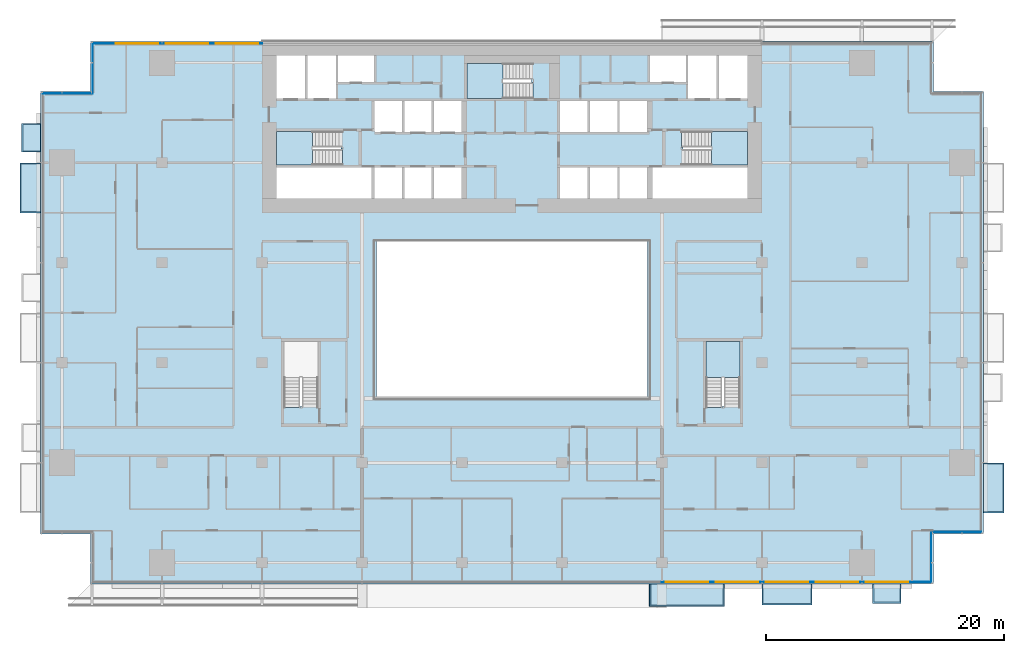
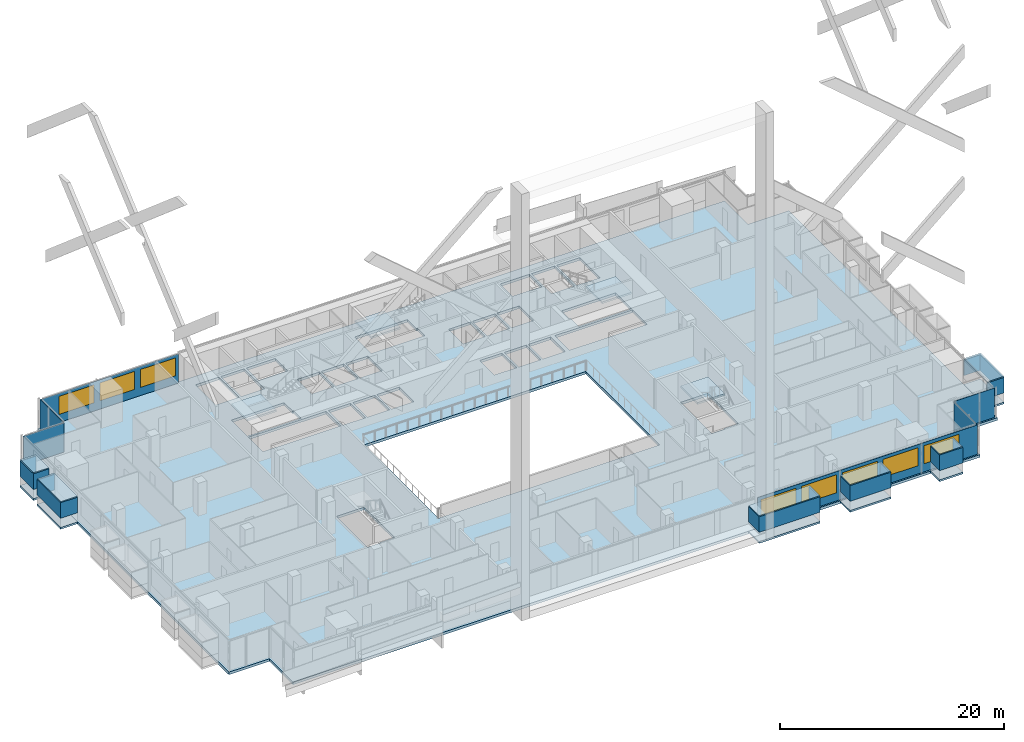
# One storey, part 15 of 30: 18 plates, 11 slabs, 8 windows, 8 openings, 10 elements without a shape of their own.
"""IFC4 building model written with IfcOpenShell, lengths in metres."""

from ifc_helpers import new_model, si_unit, direction, frame, frame_2d, origin, place, context, subcontext, project, spatial, polyline, rectangle, outline, extrude, material, layer, layer_set, type_object, element, fill, aggregate, save


model = new_model("IFC4")

# Units and contexts
model_context = context("Model", 3, precision=1e-05, world=origin(), true_north=direction((0.0, 1.0)))
body_context = subcontext(model_context, "Body", "Model", "MODEL_VIEW")
ifc_project = project(units=[si_unit("LENGTHUNIT", "METRE"), si_unit("AREAUNIT", "SQUARE_METRE"), si_unit("VOLUMEUNIT", "CUBIC_METRE"), si_unit("PLANEANGLEUNIT", "RADIAN"), si_unit("MASSUNIT", "GRAM", prefix="KILO")], contexts=[model_context])

# Site, building, storey
site_placement = place(None, origin())
site = spatial("IfcSite", under=ifc_project, at=site_placement, CompositionType="ELEMENT")
building_placement = place(site_placement, origin())
building = spatial("IfcBuilding", under=site, at=building_placement, Name="Saffron Gate Tower", CompositionType="ELEMENT")
storey_placement = place(building_placement, frame((0.0, 0.0, 37.199951171875)))
storey = spatial("IfcBuildingStorey", under=building, at=storey_placement, Name="L07", CompositionType="ELEMENT", Elevation=37.199951171875)

# Curtain wall, plate, openings, windows
ifc_material_1 = material(Name="Aluminium, bronze anodised", Category="aluminium")
curtain_wall_type_1 = type_object("IfcCurtainWallType", Name="CWS1 curtain wall front facade", PredefinedType="NOTDEFINED", material=ifc_material_1)
curtain_wall_1_placement = place(storey_placement, origin())
curtain_wall_1 = element("IfcCurtainWall", 1, at=curtain_wall_1_placement, inside=storey, type_object=curtain_wall_type_1, Name="CWS1 run 1", PredefinedType="NOTDEFINED")
ifc_material_2 = material(Name="Fritted bronze-tinted laminated glass", Category="glass")
ifc_layer_1 = layer(ifc_material_2, 0.028076171875)
ifc_layer_set_1 = layer_set([ifc_layer_1], Name="CWS1 fixed glass")
plate_type_1 = type_object("IfcPlateType", Name="CWS1 fixed glass", PredefinedType="CURTAIN_PANEL", material=ifc_layer_set_1)
plate_1_placement = place(storey_placement, frame((100.169921875, 30.174072265625, 0.0), z_axis=(0.0, 0.0, 1.0), x_axis=(1.0, 0.0, 0.0)))
plate_1 = element("IfcPlate", 2, at=plate_1_placement, type_object=plate_type_1, Name="CWS1 glass panel", PredefinedType="CURTAIN_PANEL", context=body_context, shape_type="SweptSolid", body=[
    extrude(rectangle(XDim=22.64208984375, YDim=0.028076171875, at=frame_2d((11.321044921875, 0.0))), origin(), (0.0, 0.0, 1.0), 3.199951171875),
])
opening_1_placement = place(plate_1_placement, frame((0.330078125, 0.0, 0.89990234375)))
opening_1 = element("IfcOpeningElement", 3, at=opening_1_placement, cuts=plate_1, Name="Opening W1", PredefinedType="OPENING", context=body_context, shape_type="SweptSolid", body=[
    extrude(rectangle(XDim=3.60009765625, YDim=1.949951171875, at=frame_2d((1.800048828125, 0.97509765625))), frame((0.0, 0.02392578125, 0.0), z_axis=(0.0, -1.0, 0.0), x_axis=(1.0, 0.0, 0.0)), (0.0, 0.0, 1.0), 0.048095703125),
])
opening_2_placement = place(plate_1_placement, frame((4.530029296875, 0.0, 0.89990234375)))
opening_2 = element("IfcOpeningElement", 4, at=opening_2_placement, cuts=plate_1, Name="Opening W1", PredefinedType="OPENING", context=body_context, shape_type="SweptSolid", body=[
    extrude(rectangle(XDim=3.60009765625, YDim=1.949951171875, at=frame_2d((1.800048828125, 0.97509765625))), frame((0.0, 0.02392578125, 0.0), z_axis=(0.0, -1.0, 0.0), x_axis=(1.0, 0.0, 0.0)), (0.0, 0.0, 1.0), 0.048095703125),
])
opening_3_placement = place(plate_1_placement, frame((8.72998046875, 0.0, 0.89990234375)))
opening_3 = element("IfcOpeningElement", 5, at=opening_3_placement, cuts=plate_1, Name="Opening W1", PredefinedType="OPENING", context=body_context, shape_type="SweptSolid", body=[
    extrude(rectangle(XDim=3.60009765625, YDim=1.949951171875, at=frame_2d((1.800048828125, 0.97509765625))), frame((0.0, 0.02392578125, 0.0), z_axis=(0.0, -1.0, 0.0), x_axis=(1.0, 0.0, 0.0)), (0.0, 0.0, 1.0), 0.048095703125),
])
opening_4_placement = place(plate_1_placement, frame((12.929931640625, 0.0, 0.89990234375)))
opening_4 = element("IfcOpeningElement", 6, at=opening_4_placement, cuts=plate_1, Name="Opening W1", PredefinedType="OPENING", context=body_context, shape_type="SweptSolid", body=[
    extrude(rectangle(XDim=3.60009765625, YDim=1.949951171875, at=frame_2d((1.800048828125, 0.97509765625))), frame((0.0, 0.02392578125, 0.0), z_axis=(0.0, -1.0, 0.0), x_axis=(1.0, 0.0, 0.0)), (0.0, 0.0, 1.0), 0.048095703125),
])
opening_5_placement = place(plate_1_placement, frame((17.1298828125, 0.0, 0.89990234375)))
opening_5 = element("IfcOpeningElement", 7, at=opening_5_placement, cuts=plate_1, Name="Opening W1", PredefinedType="OPENING", context=body_context, shape_type="SweptSolid", body=[
    extrude(rectangle(XDim=3.60009765625, YDim=1.949951171875, at=frame_2d((1.800048828125, 0.97509765625))), frame((0.0, 0.02392578125, 0.0), z_axis=(0.0, -1.0, 0.0), x_axis=(1.0, 0.0, 0.0)), (0.0, 0.0, 1.0), 0.048095703125),
])
ifc_material_3 = material(Name="Fritted bronze-tinted laminated glass in bronze frame", Category="glass")
ifc_layer_2 = layer(ifc_material_3, 0.06005859375)
ifc_layer_set_2 = layer_set([ifc_layer_2], Name="W1 operable panel 3600x1950")
window_type = type_object("IfcWindowType", Name="W1 operable panel 3600x1950", PartitioningType="DOUBLE_PANEL_HORIZONTAL", PredefinedType="WINDOW", material=ifc_layer_set_2)
window_1_placement = place(opening_1_placement, origin())
window_1 = element("IfcWindow", 8, at=window_1_placement, type_object=window_type, Name="W1 operable panel", OverallHeight=1.949951171875, OverallWidth=3.60009765625, PartitioningType="SINGLE_PANEL", PredefinedType="WINDOW", context=body_context, shape_type="SweptSolid", body=[
    extrude(rectangle(XDim=3.60009765625, YDim=1.949951171875, at=frame_2d((1.800048828125, 0.97509765625))), frame((0.0, 0.013671875, 0.0), z_axis=(0.0, -1.0, 0.0), x_axis=(1.0, 0.0, 0.0)), (0.0, 0.0, 1.0), 0.027587890625),
])
fill(opening_1, window_1)
window_2_placement = place(opening_2_placement, origin())
window_2 = element("IfcWindow", 9, at=window_2_placement, type_object=window_type, Name="W1 operable panel", OverallHeight=1.949951171875, OverallWidth=3.60009765625, PartitioningType="SINGLE_PANEL", PredefinedType="WINDOW", context=body_context, shape_type="SweptSolid", body=[
    extrude(rectangle(XDim=3.60009765625, YDim=1.949951171875, at=frame_2d((1.800048828125, 0.97509765625))), frame((0.0, 0.013671875, 0.0), z_axis=(0.0, -1.0, 0.0), x_axis=(1.0, 0.0, 0.0)), (0.0, 0.0, 1.0), 0.027587890625),
])
fill(opening_2, window_2)
window_3_placement = place(opening_3_placement, origin())
window_3 = element("IfcWindow", 10, at=window_3_placement, type_object=window_type, Name="W1 operable panel", OverallHeight=1.949951171875, OverallWidth=3.60009765625, PartitioningType="SINGLE_PANEL", PredefinedType="WINDOW", context=body_context, shape_type="SweptSolid", body=[
    extrude(rectangle(XDim=3.60009765625, YDim=1.949951171875, at=frame_2d((1.800048828125, 0.97509765625))), frame((0.0, 0.013671875, 0.0), z_axis=(0.0, -1.0, 0.0), x_axis=(1.0, 0.0, 0.0)), (0.0, 0.0, 1.0), 0.027587890625),
])
fill(opening_3, window_3)
window_4_placement = place(opening_4_placement, origin())
window_4 = element("IfcWindow", 11, at=window_4_placement, type_object=window_type, Name="W1 operable panel", OverallHeight=1.949951171875, OverallWidth=3.60009765625, PartitioningType="SINGLE_PANEL", PredefinedType="WINDOW", context=body_context, shape_type="SweptSolid", body=[
    extrude(rectangle(XDim=3.60009765625, YDim=1.949951171875, at=frame_2d((1.800048828125, 0.97509765625))), frame((0.0, 0.013671875, 0.0), z_axis=(0.0, -1.0, 0.0), x_axis=(1.0, 0.0, 0.0)), (0.0, 0.0, 1.0), 0.027587890625),
])
fill(opening_4, window_4)
window_5_placement = place(opening_5_placement, origin())
window_5 = element("IfcWindow", 12, at=window_5_placement, type_object=window_type, Name="W1 operable panel", OverallHeight=1.949951171875, OverallWidth=3.60009765625, PartitioningType="SINGLE_PANEL", PredefinedType="WINDOW", context=body_context, shape_type="SweptSolid", body=[
    extrude(rectangle(XDim=3.60009765625, YDim=1.949951171875, at=frame_2d((1.800048828125, 0.97509765625))), frame((0.0, 0.013671875, 0.0), z_axis=(0.0, -1.0, 0.0), x_axis=(1.0, 0.0, 0.0)), (0.0, 0.0, 1.0), 0.027587890625),
])
fill(opening_5, window_5)
aggregate(curtain_wall_1, [plate_1, window_1, window_2, window_3, window_4, window_5])

curtain_wall_type_2 = type_object("IfcCurtainWallType", Name="CWS3 curtain wall rear facade", PredefinedType="NOTDEFINED", material=ifc_material_1)
curtain_wall_2_placement = place(storey_placement, origin())
curtain_wall_2 = element("IfcCurtainWall", 13, at=curtain_wall_2_placement, inside=storey, type_object=curtain_wall_type_2, Name="CWS3 run 7", PredefinedType="NOTDEFINED")
ifc_material_4 = material(Name="Fritted grey-tinted laminated glass", Category="glass")
ifc_layer_3 = layer(ifc_material_4, 0.028076171875)
ifc_layer_set_3 = layer_set([ifc_layer_3], Name="CWS3 fixed glass")
plate_type_2 = type_object("IfcPlateType", Name="CWS3 fixed glass", PredefinedType="CURTAIN_PANEL", material=ifc_layer_set_3)
plate_2_placement = place(storey_placement, frame((66.635009765625, 75.426025390625, 0.0), z_axis=(0.0, 0.0, 1.0), x_axis=(-1.0, 0.0, 0.0)))
plate_2 = element("IfcPlate", 14, at=plate_2_placement, type_object=plate_type_2, Name="CWS3 glass panel", PredefinedType="CURTAIN_PANEL", context=body_context, shape_type="SweptSolid", body=[
    extrude(rectangle(XDim=14.2470703125, YDim=0.028076171875, at=frame_2d((7.12353515625, 0.0))), origin(), (0.0, 0.0, 1.0), 3.199951171875),
])
opening_6_placement = place(plate_2_placement, frame((0.3349609375, 0.0, 0.89990234375)))
opening_6 = element("IfcOpeningElement", 15, at=opening_6_placement, cuts=plate_2, Name="Opening W1", PredefinedType="OPENING", context=body_context, shape_type="SweptSolid", body=[
    extrude(rectangle(XDim=3.60009765625, YDim=1.949951171875, at=frame_2d((1.800048828125, 0.97509765625))), frame((0.0, 0.02392578125, 0.0), z_axis=(0.0, -1.0, 0.0), x_axis=(1.0, 0.0, 0.0)), (0.0, 0.0, 1.0), 0.048095703125),
])
opening_7_placement = place(plate_2_placement, frame((4.534912109375, 0.0, 0.89990234375)))
opening_7 = element("IfcOpeningElement", 16, at=opening_7_placement, cuts=plate_2, Name="Opening W1", PredefinedType="OPENING", context=body_context, shape_type="SweptSolid", body=[
    extrude(rectangle(XDim=3.60009765625, YDim=1.949951171875, at=frame_2d((1.800048828125, 0.97509765625))), frame((0.0, 0.02392578125, 0.0), z_axis=(0.0, -1.0, 0.0), x_axis=(1.0, 0.0, 0.0)), (0.0, 0.0, 1.0), 0.048095703125),
])
opening_8_placement = place(plate_2_placement, frame((8.735107421875, 0.0, 0.89990234375)))
opening_8 = element("IfcOpeningElement", 17, at=opening_8_placement, cuts=plate_2, Name="Opening W1", PredefinedType="OPENING", context=body_context, shape_type="SweptSolid", body=[
    extrude(rectangle(XDim=3.60009765625, YDim=1.949951171875, at=frame_2d((1.800048828125, 0.97509765625))), frame((0.0, 0.02392578125, 0.0), z_axis=(0.0, -1.0, 0.0), x_axis=(1.0, 0.0, 0.0)), (0.0, 0.0, 1.0), 0.048095703125),
])
window_6_placement = place(opening_6_placement, origin())
window_6 = element("IfcWindow", 18, at=window_6_placement, type_object=window_type, Name="W1 operable panel", OverallHeight=1.949951171875, OverallWidth=3.60009765625, PartitioningType="SINGLE_PANEL", PredefinedType="WINDOW", context=body_context, shape_type="SweptSolid", body=[
    extrude(rectangle(XDim=3.60009765625, YDim=1.949951171875, at=frame_2d((1.800048828125, 0.97509765625))), frame((0.0, 0.013671875, 0.0), z_axis=(0.0, -1.0, 0.0), x_axis=(1.0, 0.0, 0.0)), (0.0, 0.0, 1.0), 0.027587890625),
])
fill(opening_6, window_6)
window_7_placement = place(opening_7_placement, origin())
window_7 = element("IfcWindow", 19, at=window_7_placement, type_object=window_type, Name="W1 operable panel", OverallHeight=1.949951171875, OverallWidth=3.60009765625, PartitioningType="SINGLE_PANEL", PredefinedType="WINDOW", context=body_context, shape_type="SweptSolid", body=[
    extrude(rectangle(XDim=3.60009765625, YDim=1.949951171875, at=frame_2d((1.800048828125, 0.97509765625))), frame((0.0, 0.013671875, 0.0), z_axis=(0.0, -1.0, 0.0), x_axis=(1.0, 0.0, 0.0)), (0.0, 0.0, 1.0), 0.027587890625),
])
fill(opening_7, window_7)
window_8_placement = place(opening_8_placement, origin())
window_8 = element("IfcWindow", 20, at=window_8_placement, type_object=window_type, Name="W1 operable panel", OverallHeight=1.949951171875, OverallWidth=3.60009765625, PartitioningType="SINGLE_PANEL", PredefinedType="WINDOW", context=body_context, shape_type="SweptSolid", body=[
    extrude(rectangle(XDim=3.60009765625, YDim=1.949951171875, at=frame_2d((1.800048828125, 0.97509765625))), frame((0.0, 0.013671875, 0.0), z_axis=(0.0, -1.0, 0.0), x_axis=(1.0, 0.0, 0.0)), (0.0, 0.0, 1.0), 0.027587890625),
])
fill(opening_8, window_8)
aggregate(curtain_wall_2, [plate_2, window_6, window_7, window_8])

# Curtain wall, plate
curtain_wall_type_3 = type_object("IfcCurtainWallType", Name="CWS4 curtain wall corner returns", PredefinedType="NOTDEFINED", material=ifc_material_1)
curtain_wall_3_placement = place(storey_placement, origin())
curtain_wall_3 = element("IfcCurtainWall", 21, at=curtain_wall_3_placement, inside=storey, type_object=curtain_wall_type_3, Name="CWS4 run 2", PredefinedType="NOTDEFINED")
ifc_layer_4 = layer(ifc_material_2, 0.028076171875)
ifc_layer_set_4 = layer_set([ifc_layer_4], Name="CWS4 fixed glass")
plate_type_3 = type_object("IfcPlateType", Name="CWS4 fixed glass", PredefinedType="CURTAIN_PANEL", material=ifc_layer_set_4)
plate_3_placement = place(storey_placement, frame((122.825927734375, 30.18798828125, 0.0), z_axis=(0.0, 0.0, 1.0), x_axis=(0.0, 1.0, 0.0)))
plate_3 = element("IfcPlate", 22, at=plate_3_placement, type_object=plate_type_3, Name="CWS4 glass panel", PredefinedType="CURTAIN_PANEL", context=body_context, shape_type="SweptSolid", body=[
    extrude(rectangle(XDim=4.172119140625, YDim=0.028076171875, at=frame_2d((2.0859375, 0.0))), origin(), (0.0, 0.0, 1.0), 3.199951171875),
])
aggregate(curtain_wall_3, [plate_3])

curtain_wall_4_placement = place(storey_placement, origin())
curtain_wall_4 = element("IfcCurtainWall", 23, at=curtain_wall_4_placement, inside=storey, type_object=curtain_wall_type_3, Name="CWS4 run 3", PredefinedType="NOTDEFINED")
plate_4_placement = place(storey_placement, frame((122.840087890625, 34.3740234375, 0.0), z_axis=(0.0, 0.0, 1.0), x_axis=(1.0, 0.0, 0.0)))
plate_4 = element("IfcPlate", 24, at=plate_4_placement, type_object=plate_type_3, Name="CWS4 glass panel", PredefinedType="CURTAIN_PANEL", context=body_context, shape_type="SweptSolid", body=[
    extrude(rectangle(XDim=4.171875, YDim=0.028076171875, at=frame_2d((2.0859375, 0.0))), origin(), (0.0, 0.0, 1.0), 3.199951171875),
])
aggregate(curtain_wall_4, [plate_4])

curtain_wall_5_placement = place(storey_placement, origin())
curtain_wall_5 = element("IfcCurtainWall", 25, at=curtain_wall_5_placement, inside=storey, type_object=curtain_wall_type_3, Name="CWS4 run 8", PredefinedType="NOTDEFINED")
plate_5_placement = place(storey_placement, frame((52.3740234375, 75.412109375, 0.0), z_axis=(0.0, 0.0, 1.0), x_axis=(0.0, -1.0, 0.0)))
plate_5 = element("IfcPlate", 26, at=plate_5_placement, type_object=plate_type_3, Name="CWS4 glass panel", PredefinedType="CURTAIN_PANEL", context=body_context, shape_type="SweptSolid", body=[
    extrude(rectangle(XDim=4.172119140625, YDim=0.028076171875, at=frame_2d((2.0859375, 0.0))), origin(), (0.0, 0.0, 1.0), 3.199951171875),
])
aggregate(curtain_wall_5, [plate_5])

curtain_wall_6_placement = place(storey_placement, origin())
curtain_wall_6 = element("IfcCurtainWall", 27, at=curtain_wall_6_placement, inside=storey, type_object=curtain_wall_type_3, Name="CWS4 run 9", PredefinedType="NOTDEFINED")
plate_6_placement = place(storey_placement, frame((52.360107421875, 71.22607421875, 0.0), z_axis=(0.0, 0.0, 1.0), x_axis=(-1.0, 0.0, 0.0)))
plate_6 = element("IfcPlate", 28, at=plate_6_placement, type_object=plate_type_3, Name="CWS4 glass panel", PredefinedType="CURTAIN_PANEL", context=body_context, shape_type="SweptSolid", body=[
    extrude(rectangle(XDim=4.172119140625, YDim=0.028076171875, at=frame_2d((2.0859375, 0.0))), origin(), (0.0, 0.0, 1.0), 3.199951171875),
])
aggregate(curtain_wall_6, [plate_6])

# Slab
ifc_material_5 = material(Name="Concrete C40", Category="concrete")
ifc_layer_5 = layer(ifc_material_5, 0.280029296875)
ifc_layer_set_5 = layer_set([ifc_layer_5], Name="S2 FLOOR SLAB 280 CONCRETE C40")
slab_type_1 = type_object("IfcSlabType", Name="S2 FLOOR SLAB 280 CONCRETE C40", PredefinedType="FLOOR", material=ifc_layer_set_5)
slab_1_placement = place(storey_placement, frame((0.0, 0.0, -0.280029296875)))
element("IfcSlab", 29, at=slab_1_placement, inside=storey, type_object=slab_type_1, Name="S2 FLOOR SLAB", PredefinedType="FLOOR", context=body_context, shape_type="SweptSolid", body=[
    extrude(outline(polyline([(48.0, 34.199951171875), (52.199951171875, 34.199951171875), (52.199951171875, 30.0), (123.0, 30.0), (123.0, 34.199951171875), (127.199951171875, 34.199951171875), (127.199951171875, 71.39990234375), (123.0, 71.39990234375), (123.0, 75.60009765625), (52.199951171875, 75.60009765625), (52.199951171875, 71.39990234375), (48.0, 71.39990234375), (48.0, 34.199951171875)]), holes=[polyline([(67.800048828125, 62.39990234375), (67.800048828125, 65.0), (75.800048828125, 65.0), (75.800048828125, 62.39990234375), (67.800048828125, 62.39990234375)]), polyline([(67.800048828125, 65.199951171875), (67.800048828125, 68.050048828125), (73.25, 68.050048828125), (73.25, 66.550048828125), (73.34912109375, 66.550048828125), (73.34912109375, 65.199951171875), (67.800048828125, 65.199951171875)]), polyline([(67.800048828125, 70.800048828125), (67.800048828125, 74.39990234375), (70.199951171875, 74.39990234375), (70.199951171875, 70.800048828125), (67.800048828125, 70.800048828125)]), polyline([(68.449951171875, 44.85107421875), (68.449951171875, 50.39990234375), (71.300048828125, 50.39990234375), (71.300048828125, 44.949951171875), (69.800048828125, 44.949951171875), (69.800048828125, 44.85107421875), (68.449951171875, 44.85107421875)]), polyline([(70.39990234375, 70.800048828125), (70.39990234375, 74.39990234375), (72.800048828125, 74.39990234375), (72.800048828125, 70.800048828125), (70.39990234375, 70.800048828125)]), polyline([(73.0, 72.199951171875), (73.0, 74.39990234375), (76.0, 74.39990234375), (76.0, 72.199951171875), (73.0, 72.199951171875)]), polyline([(76.050048828125, 62.39990234375), (76.050048828125, 65.0), (78.35009765625, 65.0), (78.35009765625, 62.39990234375), (76.050048828125, 62.39990234375)]), polyline([(76.050048828125, 68.0), (76.050048828125, 70.60009765625), (78.35009765625, 70.60009765625), (78.35009765625, 68.0), (76.050048828125, 68.0)]), polyline([(76.199951171875, 45.60009765625), (76.199951171875, 58.800048828125), (99.0, 58.800048828125), (99.0, 45.60009765625), (76.199951171875, 45.60009765625)]), polyline([(78.550048828125, 62.39990234375), (78.550048828125, 65.0), (80.85009765625, 65.0), (80.85009765625, 62.39990234375), (78.550048828125, 62.39990234375)]), polyline([(78.550048828125, 68.0), (78.550048828125, 70.60009765625), (80.85009765625, 70.60009765625), (80.85009765625, 68.0), (78.550048828125, 68.0)]), polyline([(81.050048828125, 62.39990234375), (81.050048828125, 65.0), (83.35009765625, 65.0), (83.35009765625, 62.39990234375), (81.050048828125, 62.39990234375)]), polyline([(81.050048828125, 68.0), (81.050048828125, 70.60009765625), (83.35009765625, 70.60009765625), (83.35009765625, 68.0), (81.050048828125, 68.0)]), polyline([(83.800048828125, 70.800048828125), (83.800048828125, 73.75), (89.25, 73.75), (89.25, 72.14990234375), (89.34912109375, 72.14990234375), (89.34912109375, 70.800048828125), (83.800048828125, 70.800048828125)]), polyline([(91.64990234375, 62.39990234375), (91.64990234375, 65.0), (93.949951171875, 65.0), (93.949951171875, 62.39990234375), (91.64990234375, 62.39990234375)]), polyline([(91.64990234375, 68.0), (91.64990234375, 70.60009765625), (93.949951171875, 70.60009765625), (93.949951171875, 68.0), (91.64990234375, 68.0)]), polyline([(94.14990234375, 62.39990234375), (94.14990234375, 65.0), (96.449951171875, 65.0), (96.449951171875, 62.39990234375), (94.14990234375, 62.39990234375)]), polyline([(94.14990234375, 68.0), (94.14990234375, 70.60009765625), (96.449951171875, 70.60009765625), (96.449951171875, 68.0), (94.14990234375, 68.0)]), polyline([(96.64990234375, 62.39990234375), (96.64990234375, 65.0), (98.949951171875, 65.0), (98.949951171875, 62.39990234375), (96.64990234375, 62.39990234375)]), polyline([(96.64990234375, 68.0), (96.64990234375, 70.60009765625), (98.949951171875, 70.60009765625), (98.949951171875, 68.0), (96.64990234375, 68.0)]), polyline([(99.199951171875, 72.199951171875), (99.199951171875, 74.39990234375), (102.199951171875, 74.39990234375), (102.199951171875, 72.199951171875), (99.199951171875, 72.199951171875)]), polyline([(99.39990234375, 62.39990234375), (99.39990234375, 65.0), (107.39990234375, 65.0), (107.39990234375, 62.39990234375), (99.39990234375, 62.39990234375)]), polyline([(101.85107421875, 66.699951171875), (101.85107421875, 68.050048828125), (107.39990234375, 68.050048828125), (107.39990234375, 65.199951171875), (101.949951171875, 65.199951171875), (101.949951171875, 66.699951171875), (101.85107421875, 66.699951171875)]), polyline([(102.39990234375, 70.800048828125), (102.39990234375, 74.39990234375), (104.800048828125, 74.39990234375), (104.800048828125, 70.800048828125), (102.39990234375, 70.800048828125)]), polyline([(103.89990234375, 44.85107421875), (103.89990234375, 50.39990234375), (106.75, 50.39990234375), (106.75, 44.949951171875), (105.25, 44.949951171875), (105.25, 44.85107421875), (103.89990234375, 44.85107421875)]), polyline([(105.0, 70.800048828125), (105.0, 74.39990234375), (107.39990234375, 74.39990234375), (107.39990234375, 70.800048828125), (105.0, 70.800048828125)])]), origin(), (0.0, 0.0, 1.0), 0.280029296875),
])

# Stair, slab
stair_type = type_object("IfcStairType", Name="ST7 Stair 1350 wide, 20 risers of 180", PredefinedType="HALF_TURN_STAIR", material=ifc_material_5)
stair_1_placement = place(storey_placement, origin())
stair_1 = element("IfcStair", 30, at=stair_1_placement, inside=storey, type_object=stair_type, Name="L07 Exit stair A", PredefinedType="HALF_TURN_STAIR")
ifc_layer_6 = layer(ifc_material_5, 0.199951171875)
ifc_layer_set_6 = layer_set([ifc_layer_6], Name="SL1 Stair landing 200")
slab_type_2 = type_object("IfcSlabType", Name="SL1 Stair landing 200", PredefinedType="LANDING", material=ifc_layer_set_6)
slab_2_placement = place(storey_placement, frame((0.0, 0.0, 1.60009765625)))
slab_2 = element("IfcSlab", 31, at=slab_2_placement, type_object=slab_type_2, Name="ST-A landing 1", PredefinedType="LANDING", context=body_context, shape_type="SweptSolid", body=[
    extrude(outline(polyline([(70.830078125, 68.050048828125), (67.800048828125, 68.050048828125), (67.800048828125, 65.199951171875), (70.830078125, 65.199951171875), (70.830078125, 68.050048828125)])), origin(), (0.0, 0.0, 1.0), 0.199951171875),
])
aggregate(stair_1, [slab_2])

stair_2_placement = place(storey_placement, origin())
stair_2 = element("IfcStair", 32, at=stair_2_placement, inside=storey, type_object=stair_type, Name="L07 Exit stair B", PredefinedType="HALF_TURN_STAIR")
slab_3_placement = place(storey_placement, frame((0.0, 0.0, 1.60009765625)))
slab_3 = element("IfcSlab", 33, at=slab_3_placement, type_object=slab_type_2, Name="ST-B landing 1", PredefinedType="LANDING", context=body_context, shape_type="SweptSolid", body=[
    extrude(outline(polyline([(104.3701171875, 65.199951171875), (107.39990234375, 65.199951171875), (107.39990234375, 68.050048828125), (104.3701171875, 68.050048828125), (104.3701171875, 65.199951171875)])), origin(), (0.0, 0.0, 1.0), 0.199951171875),
])
aggregate(stair_2, [slab_3])

stair_3_placement = place(storey_placement, origin())
stair_3 = element("IfcStair", 34, at=stair_3_placement, inside=storey, type_object=stair_type, Name="L07 Exit stair C", PredefinedType="HALF_TURN_STAIR")
slab_4_placement = place(storey_placement, frame((0.0, 0.0, 1.60009765625)))
slab_4 = element("IfcSlab", 35, at=slab_4_placement, type_object=slab_type_2, Name="ST-C landing 1", PredefinedType="LANDING", context=body_context, shape_type="SweptSolid", body=[
    extrude(outline(polyline([(86.830078125, 73.75), (83.800048828125, 73.75), (83.800048828125, 70.800048828125), (86.830078125, 70.800048828125), (86.830078125, 73.75)])), origin(), (0.0, 0.0, 1.0), 0.199951171875),
])
aggregate(stair_3, [slab_4])

stair_4_placement = place(storey_placement, origin())
stair_4 = element("IfcStair", 36, at=stair_4_placement, inside=storey, type_object=stair_type, Name="L07 Exit stair E", PredefinedType="HALF_TURN_STAIR")
slab_5_placement = place(storey_placement, frame((0.0, 0.0, 1.60009765625)))
slab_5 = element("IfcSlab", 37, at=slab_5_placement, type_object=slab_type_2, Name="ST-E landing 1", PredefinedType="LANDING", context=body_context, shape_type="SweptSolid", body=[
    extrude(outline(polyline([(106.75, 47.3701171875), (106.75, 50.39990234375), (103.89990234375, 50.39990234375), (103.89990234375, 47.3701171875), (106.75, 47.3701171875)])), origin(), (0.0, 0.0, 1.0), 0.199951171875),
])
aggregate(stair_4, [slab_5])

# Slabs
ifc_material_6 = material(Name="Timber deck on bronze frame", Category="wood")
ifc_layer_7 = layer(ifc_material_6, 0.199951171875)
ifc_layer_set_7 = layer_set([ifc_layer_7], Name="WB1 box floor")
slab_type_3 = type_object("IfcSlabType", Name="WB1 box floor", PredefinedType="FLOOR", material=ifc_layer_set_7)
slab_6_placement = place(storey_placement, frame((0.0, 0.0, -0.199951171875)))
element("IfcSlab", 38, at=slab_6_placement, inside=storey, type_object=slab_type_3, Name="WINDOW BOX floor", PredefinedType="FLOOR", context=body_context, shape_type="SweptSolid", body=[
    extrude(outline(polyline([(99.14990234375, 30.0), (105.449951171875, 30.0), (105.449951171875, 28.133056640625), (99.14990234375, 28.133056640625), (99.14990234375, 30.0)])), origin(), (0.0, 0.0, 1.0), 0.199951171875),
])
slab_7_placement = place(storey_placement, frame((0.0, 0.0, -0.199951171875)))
element("IfcSlab", 39, at=slab_7_placement, inside=storey, type_object=slab_type_3, Name="WINDOW BOX floor", PredefinedType="FLOOR", context=body_context, shape_type="SweptSolid", body=[
    extrude(outline(polyline([(108.60009765625, 30.0), (112.800048828125, 30.0), (112.800048828125, 28.26708984375), (108.60009765625, 28.26708984375), (108.60009765625, 30.0)])), origin(), (0.0, 0.0, 1.0), 0.199951171875),
])
slab_8_placement = place(storey_placement, frame((0.0, 0.0, -0.199951171875)))
element("IfcSlab", 40, at=slab_8_placement, inside=storey, type_object=slab_type_3, Name="WINDOW BOX floor", PredefinedType="FLOOR", context=body_context, shape_type="SweptSolid", body=[
    extrude(outline(polyline([(117.89990234375, 30.0), (120.300048828125, 30.0), (120.300048828125, 28.39990234375), (117.89990234375, 28.39990234375), (117.89990234375, 30.0)])), origin(), (0.0, 0.0, 1.0), 0.199951171875),
])
slab_9_placement = place(storey_placement, frame((0.0, 0.0, -0.199951171875)))
element("IfcSlab", 41, at=slab_9_placement, inside=storey, type_object=slab_type_3, Name="WINDOW BOX floor", PredefinedType="FLOOR", context=body_context, shape_type="SweptSolid", body=[
    extrude(outline(polyline([(127.199951171875, 36.0), (127.199951171875, 40.199951171875), (128.93310546875, 40.199951171875), (128.93310546875, 36.0), (127.199951171875, 36.0)])), origin(), (0.0, 0.0, 1.0), 0.199951171875),
])
slab_10_placement = place(storey_placement, frame((0.0, 0.0, -0.199951171875)))
element("IfcSlab", 42, at=slab_10_placement, inside=storey, type_object=slab_type_3, Name="WINDOW BOX floor", PredefinedType="FLOOR", context=body_context, shape_type="SweptSolid", body=[
    extrude(outline(polyline([(48.0, 68.699951171875), (48.0, 66.300048828125), (46.39990234375, 66.300048828125), (46.39990234375, 68.699951171875), (48.0, 68.699951171875)])), origin(), (0.0, 0.0, 1.0), 0.199951171875),
])
slab_11_placement = place(storey_placement, frame((0.0, 0.0, -0.199951171875)))
element("IfcSlab", 43, at=slab_11_placement, inside=storey, type_object=slab_type_3, Name="WINDOW BOX floor", PredefinedType="FLOOR", context=body_context, shape_type="SweptSolid", body=[
    extrude(outline(polyline([(48.0, 65.39990234375), (48.0, 61.199951171875), (46.26708984375, 61.199951171875), (46.26708984375, 65.39990234375), (48.0, 65.39990234375)])), origin(), (0.0, 0.0, 1.0), 0.199951171875),
])

# Plates
ifc_layer_8 = layer(ifc_material_1, 0.1201171875)
ifc_layer_set_8 = layer_set([ifc_layer_8], Name="WB2 box roof")
plate_type_4 = type_object("IfcPlateType", Name="WB2 box roof", PredefinedType="SHEET", material=ifc_layer_set_8)
plate_7_placement = place(storey_placement, frame((0.0, 0.0, 2.699951171875)))
element("IfcPlate", 44, at=plate_7_placement, inside=storey, type_object=plate_type_4, Name="WINDOW BOX roof", PredefinedType="SHEET", context=body_context, shape_type="SweptSolid", body=[
    extrude(outline(polyline([(99.14990234375, 30.0), (105.449951171875, 30.0), (105.449951171875, 28.133056640625), (99.14990234375, 28.133056640625), (99.14990234375, 30.0)])), origin(), (0.0, 0.0, 1.0), 0.1201171875),
])
plate_8_placement = place(storey_placement, frame((0.0, 0.0, 2.699951171875)))
element("IfcPlate", 45, at=plate_8_placement, inside=storey, type_object=plate_type_4, Name="WINDOW BOX roof", PredefinedType="SHEET", context=body_context, shape_type="SweptSolid", body=[
    extrude(outline(polyline([(108.60009765625, 30.0), (112.800048828125, 30.0), (112.800048828125, 28.26708984375), (108.60009765625, 28.26708984375), (108.60009765625, 30.0)])), origin(), (0.0, 0.0, 1.0), 0.1201171875),
])
plate_9_placement = place(storey_placement, frame((0.0, 0.0, 2.699951171875)))
element("IfcPlate", 46, at=plate_9_placement, inside=storey, type_object=plate_type_4, Name="WINDOW BOX roof", PredefinedType="SHEET", context=body_context, shape_type="SweptSolid", body=[
    extrude(outline(polyline([(117.89990234375, 30.0), (120.300048828125, 30.0), (120.300048828125, 28.39990234375), (117.89990234375, 28.39990234375), (117.89990234375, 30.0)])), origin(), (0.0, 0.0, 1.0), 0.1201171875),
])
plate_10_placement = place(storey_placement, frame((0.0, 0.0, 2.699951171875)))
element("IfcPlate", 47, at=plate_10_placement, inside=storey, type_object=plate_type_4, Name="WINDOW BOX roof", PredefinedType="SHEET", context=body_context, shape_type="SweptSolid", body=[
    extrude(outline(polyline([(127.199951171875, 36.0), (127.199951171875, 40.199951171875), (128.93310546875, 40.199951171875), (128.93310546875, 36.0), (127.199951171875, 36.0)])), origin(), (0.0, 0.0, 1.0), 0.1201171875),
])
plate_11_placement = place(storey_placement, frame((0.0, 0.0, 2.699951171875)))
element("IfcPlate", 48, at=plate_11_placement, inside=storey, type_object=plate_type_4, Name="WINDOW BOX roof", PredefinedType="SHEET", context=body_context, shape_type="SweptSolid", body=[
    extrude(outline(polyline([(48.0, 68.699951171875), (48.0, 66.300048828125), (46.39990234375, 66.300048828125), (46.39990234375, 68.699951171875), (48.0, 68.699951171875)])), origin(), (0.0, 0.0, 1.0), 0.1201171875),
])
plate_12_placement = place(storey_placement, frame((0.0, 0.0, 2.699951171875)))
element("IfcPlate", 49, at=plate_12_placement, inside=storey, type_object=plate_type_4, Name="WINDOW BOX roof", PredefinedType="SHEET", context=body_context, shape_type="SweptSolid", body=[
    extrude(outline(polyline([(48.0, 65.39990234375), (48.0, 61.199951171875), (46.26708984375, 61.199951171875), (46.26708984375, 65.39990234375), (48.0, 65.39990234375)])), origin(), (0.0, 0.0, 1.0), 0.1201171875),
])
ifc_material_7 = material(Name="Clear low-iron laminated glass", Category="glass")
ifc_layer_9 = layer(ifc_material_7, 0.10009765625)
ifc_layer_set_9 = layer_set([ifc_layer_9], Name="WB6 box glazing")
plate_type_5 = type_object("IfcPlateType", Name="WB6 box glazing", PredefinedType="SHEET", material=ifc_layer_set_9)
plate_13_placement = place(storey_placement, frame((0.0, 0.0, 1.0)))
element("IfcPlate", 50, at=plate_13_placement, inside=storey, type_object=plate_type_5, Name="WINDOW BOX glazing", PredefinedType="SHEET", context=body_context, shape_type="SweptSolid", body=[
    extrude(outline(polyline([(99.14990234375, 30.0), (99.25, 30.0), (99.25, 28.23291015625), (105.35009765625, 28.23291015625), (105.35009765625, 30.0), (105.449951171875, 30.0), (105.449951171875, 28.133056640625), (99.14990234375, 28.133056640625), (99.14990234375, 30.0)])), origin(), (0.0, 0.0, 1.0), 1.699951171875),
])
plate_14_placement = place(storey_placement, frame((0.0, 0.0, 1.0)))
element("IfcPlate", 51, at=plate_14_placement, inside=storey, type_object=plate_type_5, Name="WINDOW BOX glazing", PredefinedType="SHEET", context=body_context, shape_type="SweptSolid", body=[
    extrude(outline(polyline([(108.60009765625, 30.0), (108.699951171875, 30.0), (108.699951171875, 28.366943359375), (112.699951171875, 28.366943359375), (112.699951171875, 30.0), (112.800048828125, 30.0), (112.800048828125, 28.26708984375), (108.60009765625, 28.26708984375), (108.60009765625, 30.0)])), origin(), (0.0, 0.0, 1.0), 1.699951171875),
])
plate_15_placement = place(storey_placement, frame((0.0, 0.0, 1.0)))
element("IfcPlate", 52, at=plate_15_placement, inside=storey, type_object=plate_type_5, Name="WINDOW BOX glazing", PredefinedType="SHEET", context=body_context, shape_type="SweptSolid", body=[
    extrude(outline(polyline([(117.89990234375, 30.0), (118.0, 30.0), (118.0, 28.5), (120.199951171875, 28.5), (120.199951171875, 30.0), (120.300048828125, 30.0), (120.300048828125, 28.39990234375), (117.89990234375, 28.39990234375), (117.89990234375, 30.0)])), origin(), (0.0, 0.0, 1.0), 1.699951171875),
])
plate_16_placement = place(storey_placement, frame((0.0, 0.0, 1.0)))
element("IfcPlate", 53, at=plate_16_placement, inside=storey, type_object=plate_type_5, Name="WINDOW BOX glazing", PredefinedType="SHEET", context=body_context, shape_type="SweptSolid", body=[
    extrude(outline(polyline([(127.199951171875, 36.0), (127.199951171875, 36.10009765625), (128.8330078125, 36.10009765625), (128.8330078125, 40.10009765625), (127.199951171875, 40.10009765625), (127.199951171875, 40.199951171875), (128.93310546875, 40.199951171875), (128.93310546875, 36.0), (127.199951171875, 36.0)])), origin(), (0.0, 0.0, 1.0), 1.699951171875),
])
plate_17_placement = place(storey_placement, frame((0.0, 0.0, 1.0)))
element("IfcPlate", 54, at=plate_17_placement, inside=storey, type_object=plate_type_5, Name="WINDOW BOX glazing", PredefinedType="SHEET", context=body_context, shape_type="SweptSolid", body=[
    extrude(outline(polyline([(48.0, 68.699951171875), (48.0, 68.60009765625), (46.5, 68.60009765625), (46.5, 66.39990234375), (48.0, 66.39990234375), (48.0, 66.300048828125), (46.39990234375, 66.300048828125), (46.39990234375, 68.699951171875), (48.0, 68.699951171875)])), origin(), (0.0, 0.0, 1.0), 1.699951171875),
])
plate_18_placement = place(storey_placement, frame((0.0, 0.0, 1.0)))
element("IfcPlate", 55, at=plate_18_placement, inside=storey, type_object=plate_type_5, Name="WINDOW BOX glazing", PredefinedType="SHEET", context=body_context, shape_type="SweptSolid", body=[
    extrude(outline(polyline([(48.0, 65.39990234375), (48.0, 65.300048828125), (46.366943359375, 65.300048828125), (46.366943359375, 61.300048828125), (48.0, 61.300048828125), (48.0, 61.199951171875), (46.26708984375, 61.199951171875), (46.26708984375, 65.39990234375), (48.0, 65.39990234375)])), origin(), (0.0, 0.0, 1.0), 1.699951171875),
])

save(model, "model.ifc")
